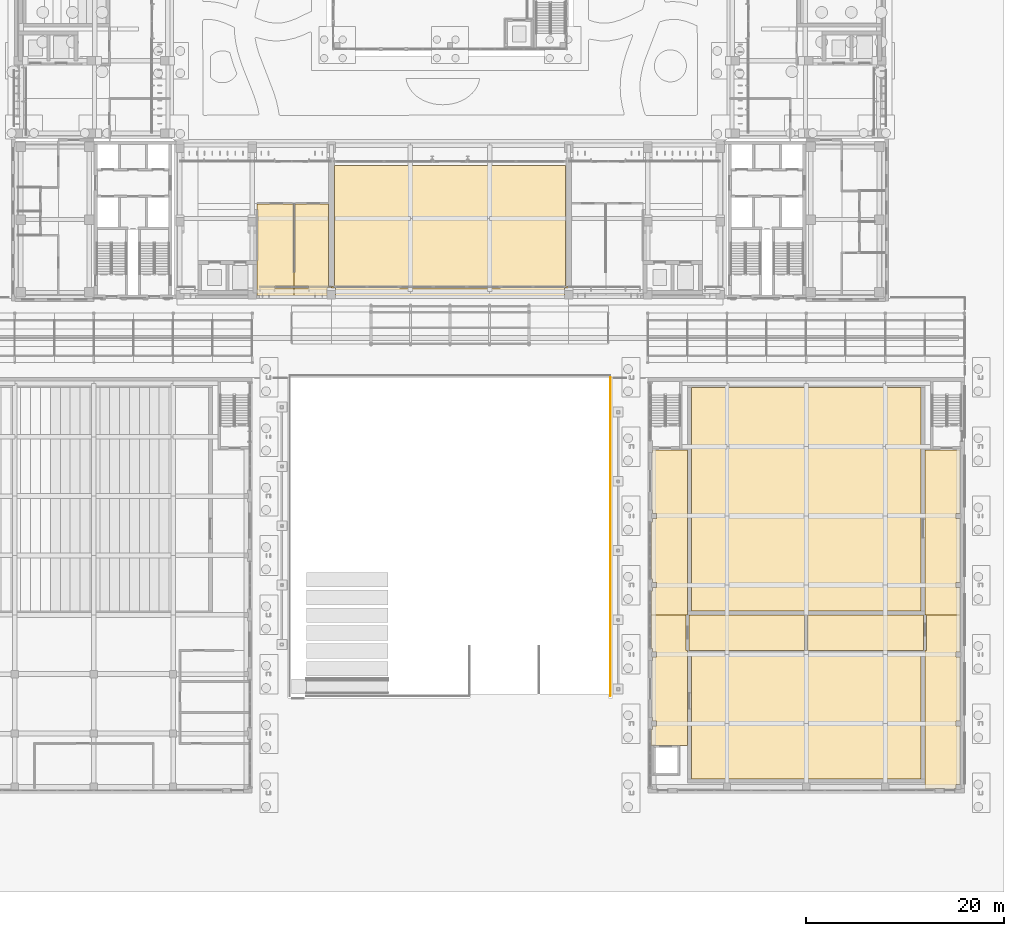
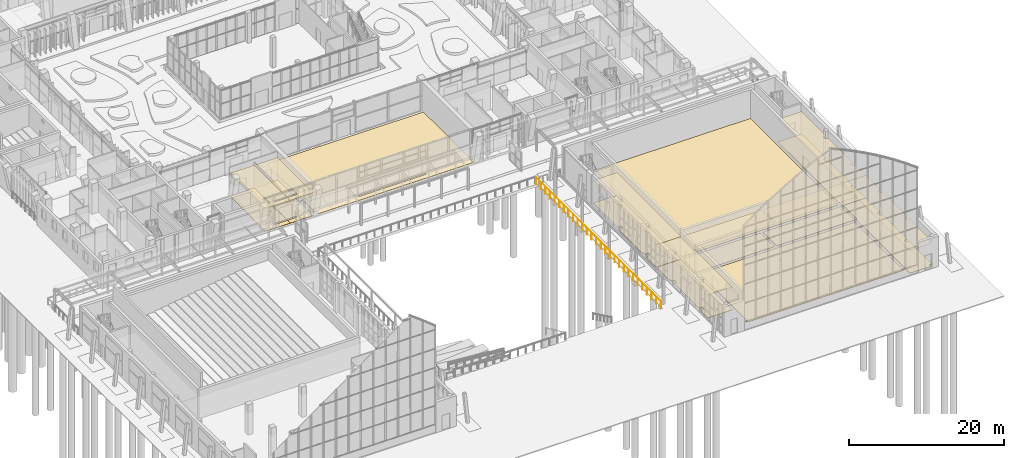
# One storey, part 124 of 144: 19 coverings, 1 railing.
"""IFC4 building model written with IfcOpenShell, lengths in metres."""

from ifc_helpers import new_model, si_unit, direction, frame, origin, origin_2d, place, context, subcontext, project, spatial, polyline, circle, outline, extrude, material, layer, layer_set, type_object, element, save


model = new_model("IFC4")

# Units and contexts
model_context = context("Model", 3, precision=1e-05, world=origin(), true_north=direction((0.0, 1.0)))
body_context = subcontext(model_context, "Body", "Model", "MODEL_VIEW")
ifc_project = project(units=[si_unit("LENGTHUNIT", "METRE"), si_unit("AREAUNIT", "SQUARE_METRE"), si_unit("VOLUMEUNIT", "CUBIC_METRE"), si_unit("PLANEANGLEUNIT", "RADIAN"), si_unit("MASSUNIT", "GRAM", prefix="KILO")], contexts=[model_context])

# Site, building, storey
site_placement = place(None, origin())
site = spatial("IfcSite", under=ifc_project, at=site_placement, CompositionType="ELEMENT")
building_placement = place(site_placement, origin())
building = spatial("IfcBuilding", under=site, at=building_placement, Name="Lantern Court Media Centre", CompositionType="ELEMENT")
storey_placement = place(building_placement, origin())
storey = spatial("IfcBuildingStorey", under=building, at=storey_placement, Name="L00", CompositionType="ELEMENT", Elevation=0.0)

# Coverings
ifc_material_1 = material(Name="Carpet")
ifc_layer_1 = layer(ifc_material_1, 0.050048828125)
ifc_layer_set_1 = layer_set([ifc_layer_1], Name="Carpet")
covering_type_1 = type_object("IfcCoveringType", Name="Carpet floor finish", PredefinedType="FLOORING", material=ifc_layer_set_1)
covering_1_placement = place(storey_placement, origin())
element("IfcCovering", 1, at=covering_1_placement, inside=storey, type_object=covering_type_1, Name="Cafe floor finish", PredefinedType="FLOORING", context=body_context, shape_type="SweptSolid", body=[
    extrude(outline(polyline([(36.25, 48.300048828125), (32.5, 48.304931640625), (32.5048828125, 51.794921875), (32.5673828125, 51.800048828125), (32.5673828125, 56.949951171875), (32.5, 56.955078125), (32.5, 57.532470703125), (36.195068359375, 57.532470703125), (36.195068359375, 50.655029296875), (36.25, 50.64990234375), (36.25, 49.2548828125), (34.299560546875, 49.2548828125), (34.294921875, 49.050048828125), (36.25, 49.044921875), (36.25, 48.300048828125)])), origin(), (0.0, 0.0, 1.0), 0.050048828125),
])
covering_2_placement = place(storey_placement, origin())
element("IfcCovering", 2, at=covering_2_placement, inside=storey, type_object=covering_type_1, Name="Cafe Kitchen floor finish", PredefinedType="FLOORING", context=body_context, shape_type="SweptSolid", body=[
    extrude(outline(polyline([(40.0, 49.030029296875), (39.570556640625, 49.02734375), (39.570068359375, 48.300048828125), (36.25, 48.300048828125), (36.25, 49.044921875), (37.705078125, 49.050048828125), (37.700439453125, 49.2548828125), (36.25, 49.2548828125), (36.25, 50.64990234375), (36.304931640625, 50.655029296875), (36.304931640625, 57.532470703125), (39.695068359375, 57.532470703125), (39.695068359375, 49.199951171875), (40.0, 49.195068359375), (40.0, 49.030029296875)])), origin(), (0.0, 0.0, 1.0), 0.050048828125),
])
covering_3_placement = place(storey_placement, origin())
element("IfcCovering", 3, at=covering_3_placement, inside=storey, type_object=covering_type_1, Name="Broadcast Studio A floor finish", PredefinedType="FLOORING", context=body_context, shape_type="SweptSolid", body=[
    extrude(outline(polyline([(76.405029296875, 16.405029296875), (76.405029296875, 38.9951171875), (99.594970703125, 38.9951171875), (99.594970703125, 16.405029296875), (76.405029296875, 16.405029296875)])), origin(), (0.0, 0.0, 1.0), 0.050048828125),
])
covering_4_placement = place(storey_placement, origin())
element("IfcCovering", 4, at=covering_4_placement, inside=storey, type_object=covering_type_1, Name="Broadcast Studio B floor finish", PredefinedType="FLOORING", context=body_context, shape_type="SweptSolid", body=[
    extrude(outline(polyline([(76.405029296875, 11.9951171875), (99.594970703125, 11.9951171875), (99.594970703125, -0.594970703125), (76.405029296875, -0.594970703125), (76.405029296875, 11.9951171875)])), origin(), (0.0, 0.0, 1.0), 0.050048828125),
])
covering_5_placement = place(storey_placement, origin())
element("IfcCovering", 5, at=covering_5_placement, inside=storey, type_object=covering_type_1, Name="Studio Control Room 03 floor finish", PredefinedType="FLOORING", context=body_context, shape_type="SweptSolid", body=[
    extrude(outline(polyline([(76.155029296875, 12.405029296875), (76.155029296875, 15.9951171875), (87.844970703125, 15.9951171875), (87.844970703125, 12.405029296875), (76.155029296875, 12.405029296875)])), origin(), (0.0, 0.0, 1.0), 0.050048828125),
])
covering_6_placement = place(storey_placement, origin())
element("IfcCovering", 6, at=covering_6_placement, inside=storey, type_object=covering_type_1, Name="Studio Control Room 04 floor finish", PredefinedType="FLOORING", context=body_context, shape_type="SweptSolid", body=[
    extrude(outline(polyline([(88.155029296875, 12.405029296875), (88.155029296875, 15.9951171875), (99.844970703125, 15.9951171875), (99.844970703125, 12.405029296875), (88.155029296875, 12.405029296875)])), origin(), (0.0, 0.0, 1.0), 0.050048828125),
])

# Railing
ifc_material_2 = material(Name="Steel, galvanised", Category="steel")
railing_type = type_object("IfcRailingType", Name="Forecourt guard 1100", PredefinedType="GUARDRAIL", material=ifc_material_2)
railing_placement = place(storey_placement, frame((68.199951171875, 40.0, 0.0)))
element("IfcRailing", 7, at=railing_placement, inside=storey, type_object=railing_type, Name="Forecourt east edge guard", PredefinedType="GUARDRAIL", context=body_context, shape_type="SweptSolid", body=[
    extrude(circle(Radius=0.02392578125, at=origin_2d()), frame((0.0, 0.0, 1.076171875), z_axis=(0.0, -1.0, 0.0), x_axis=(1.0, 0.0, 0.0)), (0.0, 0.0, 1.0), 32.199951171875),
    extrude(circle(Radius=0.02099609375, at=origin_2d()), origin(), (0.0, 0.0, 1.0), 1.052001953125),
    extrude(circle(Radius=0.02099609375, at=origin_2d()), frame((0.0, -1.192626953125, 0.0)), (0.0, 0.0, 1.0), 1.052001953125),
    extrude(circle(Radius=0.02099609375, at=origin_2d()), frame((0.0, -2.38525390625, 0.0)), (0.0, 0.0, 1.0), 1.052001953125),
    extrude(circle(Radius=0.02099609375, at=origin_2d()), frame((0.0, -3.577880859375, 0.0)), (0.0, 0.0, 1.0), 1.052001953125),
    extrude(circle(Radius=0.02099609375, at=origin_2d()), frame((0.0, -4.770263671875, 0.0)), (0.0, 0.0, 1.0), 1.052001953125),
    extrude(circle(Radius=0.02099609375, at=origin_2d()), frame((0.0, -5.962890625, 0.0)), (0.0, 0.0, 1.0), 1.052001953125),
    extrude(circle(Radius=0.02099609375, at=origin_2d()), frame((0.0, -7.155517578125, 0.0)), (0.0, 0.0, 1.0), 1.052001953125),
    extrude(circle(Radius=0.02099609375, at=origin_2d()), frame((0.0, -8.34814453125, 0.0)), (0.0, 0.0, 1.0), 1.052001953125),
    extrude(circle(Radius=0.02099609375, at=origin_2d()), frame((0.0, -9.540771484375, 0.0)), (0.0, 0.0, 1.0), 1.052001953125),
    extrude(circle(Radius=0.02099609375, at=origin_2d()), frame((0.0, -10.7333984375, 0.0)), (0.0, 0.0, 1.0), 1.052001953125),
    extrude(circle(Radius=0.02099609375, at=origin_2d()), frame((0.0, -11.926025390625, 0.0)), (0.0, 0.0, 1.0), 1.052001953125),
    extrude(circle(Radius=0.02099609375, at=origin_2d()), frame((0.0, -13.118408203125, 0.0)), (0.0, 0.0, 1.0), 1.052001953125),
    extrude(circle(Radius=0.02099609375, at=origin_2d()), frame((0.0, -14.31103515625, 0.0)), (0.0, 0.0, 1.0), 1.052001953125),
    extrude(circle(Radius=0.02099609375, at=origin_2d()), frame((0.0, -15.503662109375, 0.0)), (0.0, 0.0, 1.0), 1.052001953125),
    extrude(circle(Radius=0.02099609375, at=origin_2d()), frame((0.0, -16.6962890625, 0.0)), (0.0, 0.0, 1.0), 1.052001953125),
    extrude(circle(Radius=0.02099609375, at=origin_2d()), frame((0.0, -17.888916015625, 0.0)), (0.0, 0.0, 1.0), 1.052001953125),
    extrude(circle(Radius=0.02099609375, at=origin_2d()), frame((0.0, -19.08154296875, 0.0)), (0.0, 0.0, 1.0), 1.052001953125),
    extrude(circle(Radius=0.02099609375, at=origin_2d()), frame((0.0, -20.27392578125, 0.0)), (0.0, 0.0, 1.0), 1.052001953125),
    extrude(circle(Radius=0.02099609375, at=origin_2d()), frame((0.0, -21.466552734375, 0.0)), (0.0, 0.0, 1.0), 1.052001953125),
    extrude(circle(Radius=0.02099609375, at=origin_2d()), frame((0.0, -22.6591796875, 0.0)), (0.0, 0.0, 1.0), 1.052001953125),
    extrude(circle(Radius=0.02099609375, at=origin_2d()), frame((0.0, -23.851806640625, 0.0)), (0.0, 0.0, 1.0), 1.052001953125),
    extrude(circle(Radius=0.02099609375, at=origin_2d()), frame((0.0, -25.04443359375, 0.0)), (0.0, 0.0, 1.0), 1.052001953125),
    extrude(circle(Radius=0.02099609375, at=origin_2d()), frame((0.0, -26.237060546875, 0.0)), (0.0, 0.0, 1.0), 1.052001953125),
    extrude(circle(Radius=0.02099609375, at=origin_2d()), frame((0.0, -27.4296875, 0.0)), (0.0, 0.0, 1.0), 1.052001953125),
    extrude(circle(Radius=0.02099609375, at=origin_2d()), frame((0.0, -28.6220703125, 0.0)), (0.0, 0.0, 1.0), 1.052001953125),
    extrude(circle(Radius=0.02099609375, at=origin_2d()), frame((0.0, -29.814697265625, 0.0)), (0.0, 0.0, 1.0), 1.052001953125),
    extrude(circle(Radius=0.02099609375, at=origin_2d()), frame((0.0, -31.00732421875, 0.0)), (0.0, 0.0, 1.0), 1.052001953125),
    extrude(circle(Radius=0.02099609375, at=origin_2d()), frame((0.0, -32.199951171875, 0.0)), (0.0, 0.0, 1.0), 1.052001953125),
])

# Coverings
ifc_material_3 = material(Name="Stone", Category="masonry")
ifc_layer_2 = layer(ifc_material_3, 0.050048828125)
ifc_layer_set_2 = layer_set([ifc_layer_2], Name="Stone")
covering_type_2 = type_object("IfcCoveringType", Name="Stone floor finish", PredefinedType="FLOORING", material=ifc_layer_set_2)
covering_7_placement = place(storey_placement, origin())
element("IfcCovering", 8, at=covering_7_placement, inside=storey, type_object=covering_type_2, Name="Entrance Hall floor finish", PredefinedType="FLOORING", context=body_context, shape_type="SweptSolid", body=[
    extrude(outline(polyline([(64.0, 49.030029296875), (63.570556640625, 49.02734375), (63.570068359375, 48.300048828125), (40.429931640625, 48.300048828125), (40.429443359375, 49.02734375), (40.0, 49.030029296875), (40.0, 49.195068359375), (40.304931640625, 49.199951171875), (40.304931640625, 61.39990234375), (63.695068359375, 61.39990234375), (63.695068359375, 49.199951171875), (64.0, 49.195068359375), (64.0, 49.030029296875)]), holes=[polyline([(46.89990234375, 49.2548828125), (46.89990234375, 49.044921875), (57.10498046875, 49.050048828125), (57.10009765625, 49.2548828125), (46.89990234375, 49.2548828125)])]), origin(), (0.0, 0.0, 1.0), 0.050048828125),
])
ifc_material_4 = material(Name="Mineral fibre ceiling tile")
ifc_layer_3 = layer(ifc_material_4, 0.02001953125)
ifc_layer_set_3 = layer_set([ifc_layer_3], Name="Mineral fibre ceiling tile")
covering_type_3 = type_object("IfcCoveringType", Name="Suspended ceiling tile", PredefinedType="CEILING", material=ifc_layer_set_3)
covering_8_placement = place(storey_placement, frame((0.0, 0.0, 3.60009765625)))
element("IfcCovering", 9, at=covering_8_placement, inside=storey, type_object=covering_type_3, Name="Cafe ceiling", PredefinedType="CEILING", context=body_context, shape_type="SweptSolid", body=[
    extrude(outline(polyline([(36.25, 48.300048828125), (32.5, 48.300537109375), (32.50048828125, 51.799560546875), (32.56298828125, 51.800048828125), (32.56298828125, 56.949951171875), (32.5, 56.950439453125), (32.5, 57.537109375), (36.199462890625, 57.537109375), (36.199462890625, 50.655029296875), (36.25, 50.654541015625), (36.25, 49.25048828125), (34.300048828125, 49.25048828125), (34.299560546875, 49.050048828125), (36.25, 49.049560546875), (36.25, 48.300048828125)])), origin(), (0.0, 0.0, 1.0), 0.02001953125),
])
covering_9_placement = place(storey_placement, frame((0.0, 0.0, 3.60009765625)))
element("IfcCovering", 10, at=covering_9_placement, inside=storey, type_object=covering_type_3, Name="Cafe Kitchen ceiling", PredefinedType="CEILING", context=body_context, shape_type="SweptSolid", body=[
    extrude(outline(polyline([(40.0, 48.300048828125), (36.25, 48.300048828125), (36.25, 49.049560546875), (37.700439453125, 49.050048828125), (37.699951171875, 49.25048828125), (36.25, 49.25048828125), (36.25, 50.654541015625), (36.300537109375, 50.655029296875), (36.300537109375, 57.537109375), (39.699462890625, 57.537109375), (39.699462890625, 49.199951171875), (40.0, 49.199462890625), (40.0, 48.300048828125)])), origin(), (0.0, 0.0, 1.0), 0.02001953125),
])
covering_10_placement = place(storey_placement, frame((0.0, 0.0, 3.60009765625)))
element("IfcCovering", 11, at=covering_10_placement, inside=storey, type_object=covering_type_3, Name="Studio Hall Lobby ceiling", PredefinedType="CEILING", context=body_context, shape_type="SweptSolid", body=[
    extrude(outline(polyline([(72.300048828125, 16.0), (75.849609375, 16.0), (75.849609375, 12.39990234375), (75.99951171875, 12.3994140625), (75.99951171875, 2.800048828125), (72.300048828125, 2.800048828125), (72.300048828125, 4.3994140625), (72.450439453125, 4.39990234375), (72.450439453125, 4.74951171875), (72.8505859375, 4.75), (72.850341796875, 5.250244140625), (72.450439453125, 5.25048828125), (72.450439453125, 11.74951171875), (72.850341796875, 11.749755859375), (72.8505859375, 12.25), (72.450439453125, 12.25048828125), (72.450439453125, 12.60009765625), (72.300048828125, 12.6005859375), (72.300048828125, 16.0)])), origin(), (0.0, 0.0, 1.0), 0.02001953125),
])
covering_11_placement = place(storey_placement, frame((0.0, 0.0, 3.60009765625)))
element("IfcCovering", 12, at=covering_11_placement, inside=storey, type_object=covering_type_3, Name="Studio Hall Lobby ceiling", PredefinedType="CEILING", context=body_context, shape_type="SweptSolid", body=[
    extrude(outline(polyline([(103.549560546875, 16.0), (103.549560546875, 12.25048828125), (103.1494140625, 12.25), (103.149658203125, 11.749755859375), (103.549560546875, 11.74951171875), (103.549560546875, 5.25048828125), (103.1494140625, 5.25), (103.149658203125, 4.749755859375), (103.549560546875, 4.74951171875), (103.549560546875, -1.1494140625), (103.149658203125, -1.149658203125), (103.1494140625, -1.549560546875), (100.0, -1.549560546875), (100.00048828125, 12.3994140625), (100.150390625, 12.39990234375), (100.150390625, 16.0), (103.549560546875, 16.0)])), origin(), (0.0, 0.0, 1.0), 0.02001953125),
])
covering_12_placement = place(storey_placement, frame((0.0, 0.0, 3.60009765625)))
element("IfcCovering", 13, at=covering_12_placement, inside=storey, type_object=covering_type_3, Name="Studio Control Room 03 ceiling", PredefinedType="CEILING", context=body_context, shape_type="SweptSolid", body=[
    extrude(outline(polyline([(76.150390625, 12.400390625), (76.150390625, 15.99951171875), (87.849609375, 15.99951171875), (87.849609375, 12.400390625), (76.150390625, 12.400390625)])), origin(), (0.0, 0.0, 1.0), 0.02001953125),
])
covering_13_placement = place(storey_placement, frame((0.0, 0.0, 3.60009765625)))
element("IfcCovering", 14, at=covering_13_placement, inside=storey, type_object=covering_type_3, Name="Studio Control Room 04 ceiling", PredefinedType="CEILING", context=body_context, shape_type="SweptSolid", body=[
    extrude(outline(polyline([(88.150390625, 12.400390625), (88.150390625, 15.99951171875), (99.849609375, 15.99951171875), (99.849609375, 12.400390625), (88.150390625, 12.400390625)])), origin(), (0.0, 0.0, 1.0), 0.02001953125),
])
covering_14_placement = place(storey_placement, frame((0.0, 0.0, 3.60009765625)))
element("IfcCovering", 15, at=covering_14_placement, inside=storey, type_object=covering_type_3, Name="Exit Corridor ceiling", PredefinedType="CEILING", context=body_context, shape_type="SweptSolid", body=[
    extrude(outline(polyline([(75.99951171875, 32.64990234375), (75.99951171875, 16.00048828125), (72.300048828125, 16.0), (72.300048828125, 18.3994140625), (72.450439453125, 18.39990234375), (72.450439453125, 18.74951171875), (72.8505859375, 18.75), (72.850341796875, 19.250244140625), (72.450439453125, 19.25048828125), (72.450439453125, 19.60009765625), (72.300048828125, 19.6005859375), (72.300048828125, 25.3994140625), (72.450439453125, 25.39990234375), (72.450439453125, 25.74951171875), (72.8505859375, 25.75), (72.850341796875, 26.250244140625), (72.450439453125, 26.25048828125), (72.450439453125, 32.64990234375), (75.99951171875, 32.64990234375)])), origin(), (0.0, 0.0, 1.0), 0.02001953125),
])
covering_15_placement = place(storey_placement, frame((0.0, 0.0, 3.60009765625)))
element("IfcCovering", 16, at=covering_15_placement, inside=storey, type_object=covering_type_3, Name="Exit Corridor ceiling", PredefinedType="CEILING", context=body_context, shape_type="SweptSolid", body=[
    extrude(outline(polyline([(103.549560546875, 32.64990234375), (103.549560546875, 26.25048828125), (103.1494140625, 26.25), (103.149658203125, 25.749755859375), (103.549560546875, 25.74951171875), (103.549560546875, 19.25048828125), (103.1494140625, 19.25), (103.149658203125, 18.749755859375), (103.549560546875, 18.74951171875), (103.549560546875, 16.0), (100.00048828125, 16.00048828125), (100.00048828125, 32.64990234375), (103.549560546875, 32.64990234375)])), origin(), (0.0, 0.0, 1.0), 0.02001953125),
])
ifc_material_5 = material(Name="Terrazzo")
ifc_layer_4 = layer(ifc_material_5, 0.050048828125)
ifc_layer_set_4 = layer_set([ifc_layer_4], Name="Terrazzo")
covering_type_4 = type_object("IfcCoveringType", Name="Terrazzo floor finish", PredefinedType="FLOORING", material=ifc_layer_set_4)
covering_16_placement = place(storey_placement, origin())
element("IfcCovering", 17, at=covering_16_placement, inside=storey, type_object=covering_type_4, Name="Studio Hall Lobby floor finish", PredefinedType="FLOORING", context=body_context, shape_type="SweptSolid", body=[
    extrude(outline(polyline([(72.300048828125, 16.0), (75.844970703125, 16.0), (75.844970703125, 12.39990234375), (75.9951171875, 12.39501953125), (75.9951171875, 2.800048828125), (72.300048828125, 2.800048828125), (72.300048828125, 4.39501953125), (72.45458984375, 4.398193359375), (72.455078125, 4.7451171875), (72.85498046875, 4.75), (72.853759765625, 5.253173828125), (72.455078125, 5.2548828125), (72.455078125, 11.7451171875), (72.853759765625, 11.746826171875), (72.85498046875, 12.25), (72.455078125, 12.2548828125), (72.45458984375, 12.601806640625), (72.300048828125, 12.60498046875), (72.300048828125, 16.0)])), origin(), (0.0, 0.0, 1.0), 0.050048828125),
])
covering_17_placement = place(storey_placement, origin())
element("IfcCovering", 18, at=covering_17_placement, inside=storey, type_object=covering_type_4, Name="Studio Hall Lobby floor finish", PredefinedType="FLOORING", context=body_context, shape_type="SweptSolid", body=[
    extrude(outline(polyline([(103.544921875, 16.0), (103.544921875, 12.2548828125), (103.14501953125, 12.25), (103.146240234375, 11.746826171875), (103.544921875, 11.7451171875), (103.544921875, 5.2548828125), (103.14501953125, 5.25), (103.146240234375, 4.746826171875), (103.544921875, 4.7451171875), (103.544921875, -1.14501953125), (103.146484375, -1.146484375), (103.14501953125, -1.544921875), (100.0, -1.544921875), (100.0048828125, 12.39501953125), (100.155029296875, 12.39990234375), (100.155029296875, 16.0), (103.544921875, 16.0)])), origin(), (0.0, 0.0, 1.0), 0.050048828125),
])
covering_18_placement = place(storey_placement, origin())
element("IfcCovering", 19, at=covering_18_placement, inside=storey, type_object=covering_type_4, Name="Exit Corridor floor finish", PredefinedType="FLOORING", context=body_context, shape_type="SweptSolid", body=[
    extrude(outline(polyline([(75.9951171875, 32.64990234375), (75.9951171875, 16.0048828125), (72.300048828125, 16.0), (72.300048828125, 18.39501953125), (72.45458984375, 18.398193359375), (72.455078125, 18.7451171875), (72.85498046875, 18.75), (72.854248046875, 19.252685546875), (72.455078125, 19.2548828125), (72.45458984375, 19.601806640625), (72.300048828125, 19.60498046875), (72.300048828125, 25.39501953125), (72.45458984375, 25.398193359375), (72.455078125, 25.7451171875), (72.85498046875, 25.75), (72.853759765625, 26.253173828125), (72.455078125, 26.2548828125), (72.455078125, 32.64990234375), (75.9951171875, 32.64990234375)])), origin(), (0.0, 0.0, 1.0), 0.050048828125),
])
covering_19_placement = place(storey_placement, origin())
element("IfcCovering", 20, at=covering_19_placement, inside=storey, type_object=covering_type_4, Name="Exit Corridor floor finish", PredefinedType="FLOORING", context=body_context, shape_type="SweptSolid", body=[
    extrude(outline(polyline([(103.544921875, 32.64990234375), (103.544921875, 26.2548828125), (103.14501953125, 26.25), (103.146240234375, 25.746826171875), (103.544921875, 25.7451171875), (103.544921875, 19.2548828125), (103.14501953125, 19.25), (103.146240234375, 18.746826171875), (103.544921875, 18.7451171875), (103.544921875, 16.0), (100.0048828125, 16.0048828125), (100.0048828125, 32.64990234375), (103.544921875, 32.64990234375)])), origin(), (0.0, 0.0, 1.0), 0.050048828125),
])

save(model, "model.ifc")
